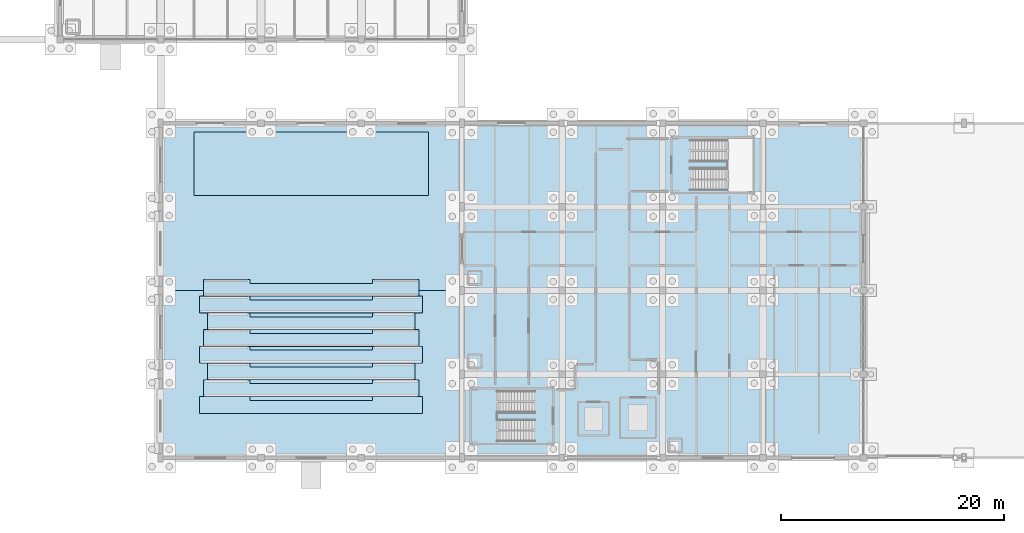
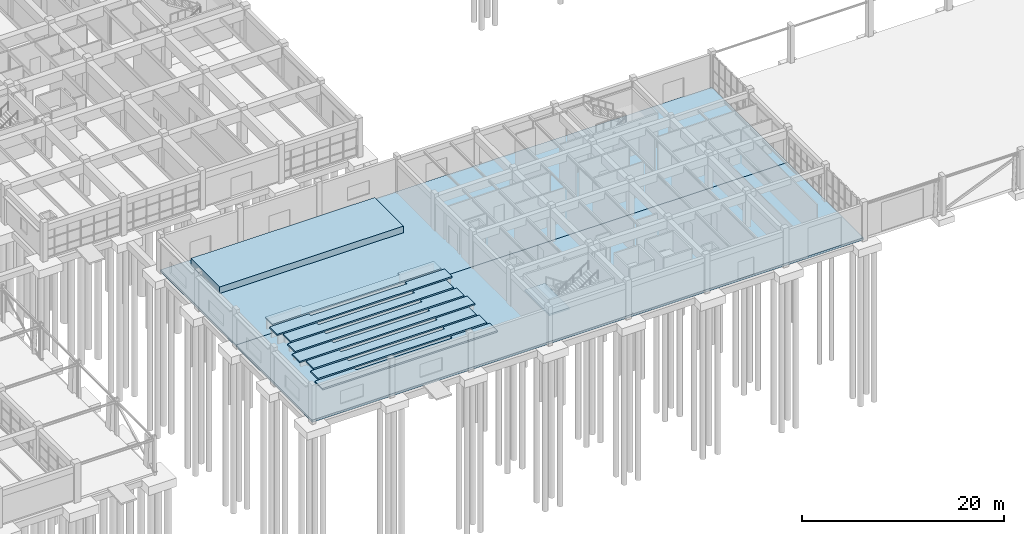
# One storey, part 45 of 93: 12 slabs, 1 element without a shape of its own.
"""IFC4 building model written with IfcOpenShell, lengths in metres."""

import ifcopenshell
import ifcopenshell.guid

model = None  # the IFC model being written
_history = None  # IfcOwnerHistory: only IFC2X3 demands one
_inside = {}  # id of a spatial element -> (the spatial element, [elements in it])
_under = {}  # id of a project, library or spatial element -> (it, [spatial elements below it])
_declared = {}  # id of a project -> (the project, [libraries it declares])
_typed = {}  # id of a type object -> (the type object, [elements of that type])
_made_of = {}  # id of a material, layer set ... -> (it, [elements and type objects made of it])


def new_model(schema):
    """Start an empty IFC model of exactly this schema.

    Asked for "IFC4X3", IfcOpenShell would pick the latest addendum, in which some entities
    have other attributes; the version numbers below select the first issue.
    IFC2X3 requires an IfcOwnerHistory on every rooted entity: one is made here for all.
    """
    global model, _history
    if schema == "IFC4X3":
        model = ifcopenshell.file(schema_version=(4, 3, 0, 0))
    else:
        model = ifcopenshell.file(schema=schema)
    _inside.clear()
    _under.clear()
    _declared.clear()
    _typed.clear()
    _made_of.clear()
    _history = None
    if model.schema == "IFC2X3":
        org = make("IfcOrganization", Name="unknown")
        user = make(
            "IfcPersonAndOrganization",
            ThePerson=make("IfcPerson", FamilyName="unknown"),
            TheOrganization=org,
        )
        app = make(
            "IfcApplication",
            ApplicationDeveloper=org,
            Version="unknown",
            ApplicationFullName="unknown",
            ApplicationIdentifier="unknown",
        )
        _history = make(
            "IfcOwnerHistory",
            OwningUser=user,
            OwningApplication=app,
            ChangeAction="ADDED",
            CreationDate=0,
        )
    return model


def make(cls, **values):
    """One entity of the class cls with the attributes given. An attribute that is None is left unset."""
    return model.create_entity(
        cls, **{name: value for name, value in values.items() if value is not None}
    )


def rooted(cls, **values):
    """An entity with a GlobalId (a new one), such as an element, a storey or a relation."""
    return make(cls, GlobalId=ifcopenshell.guid.new(), OwnerHistory=_history, **values)


def si_unit(unit_type, name, prefix=None):
    """IfcSIUnit, for example si_unit("LENGTHUNIT", "METRE", prefix="MILLI")."""
    return make("IfcSIUnit", UnitType=unit_type, Prefix=prefix, Name=name)


def assignment(units):
    """IfcUnitAssignment: the units of a project."""
    return None if units is None else make("IfcUnitAssignment", Units=units)


def point(xyz):
    """IfcCartesianPoint."""
    return None if xyz is None else make("IfcCartesianPoint", Coordinates=xyz)


def direction(xyz):
    """IfcDirection."""
    return None if xyz is None else make("IfcDirection", DirectionRatios=xyz)


def frame(location, z_axis=None, x_axis=None):
    """IfcAxis2Placement3D, a coordinate frame: its origin and axes. An axis left out is left unset."""
    return make(
        "IfcAxis2Placement3D",
        Location=point(location),
        Axis=direction(z_axis),
        RefDirection=direction(x_axis),
    )


def origin():
    """The frame at (0, 0, 0) with its axes left unset."""
    return frame((0.0, 0.0, 0.0))


def place(relative_to, where):
    """IfcLocalPlacement: puts the frame where relative to a parent placement (None: the world)."""
    return make(
        "IfcLocalPlacement", PlacementRelTo=relative_to, RelativePlacement=where
    )


def context(
    kind, dimensions, precision=None, world=None, true_north=None, identifier=None
):
    """IfcGeometricRepresentationContext, for example the 3D "Model" context."""
    return make(
        "IfcGeometricRepresentationContext",
        ContextIdentifier=identifier,
        ContextType=kind,
        CoordinateSpaceDimension=dimensions,
        Precision=precision,
        WorldCoordinateSystem=world,
        TrueNorth=true_north,
    )


def subcontext(parent, identifier, kind, view, scale=None):
    """IfcGeometricRepresentationSubContext, for example "Body" below "Model"."""
    return make(
        "IfcGeometricRepresentationSubContext",
        ContextIdentifier=identifier,
        ContextType=kind,
        ParentContext=parent,
        TargetScale=scale,
        TargetView=view,
    )


def project(units=None, contexts=None):
    """IfcProject with its units and contexts."""
    return rooted(
        "IfcProject",
        Name="project",
        RepresentationContexts=contexts,
        UnitsInContext=assignment(units),
    )


def spatial(cls, under=None, at=None, **own):
    """A site, building, storey or space (cls), placed at a placement, below another one or the project."""
    s = rooted(cls, ObjectPlacement=at, **own)
    if under is not None:
        _under.setdefault(under.id(), (under, []))[1].append(s)
    return s


def polyline(points):
    """IfcPolyline through the points."""
    return make("IfcPolyline", Points=[point(p) for p in points])


def outline(outer, holes=None, kind="AREA"):
    """IfcArbitraryClosedProfileDef: a profile drawn as a closed curve; with holes, ...WithVoids."""
    if holes is None:
        return make("IfcArbitraryClosedProfileDef", ProfileType=kind, OuterCurve=outer)
    return make(
        "IfcArbitraryProfileDefWithVoids",
        ProfileType=kind,
        OuterCurve=outer,
        InnerCurves=holes,
    )


def extrude(swept, where, along, depth):
    """IfcExtrudedAreaSolid: the profile swept, set in the frame where, extruded along a direction by depth."""
    return make(
        "IfcExtrudedAreaSolid",
        SweptArea=swept,
        Position=where,
        ExtrudedDirection=direction(along),
        Depth=depth,
    )


def shape(context_of_items, identifier, shape_type, items):
    """IfcShapeRepresentation: the items that make up one representation, for example the "Body"."""
    return make(
        "IfcShapeRepresentation",
        ContextOfItems=context_of_items,
        RepresentationIdentifier=identifier,
        RepresentationType=shape_type,
        Items=items,
    )


def material(Name=None, Category=None):
    """IfcMaterial."""
    return make("IfcMaterial", Name=Name, Category=Category)


def layer(
    of_material, thickness, ventilated=None, Name=None, Category=None, Priority=None
):
    """IfcMaterialLayer: one layer of a wall or slab, of a material (None: an air gap)."""
    return make(
        "IfcMaterialLayer",
        Material=of_material,
        LayerThickness=thickness,
        IsVentilated=ventilated,
        Name=Name,
        Category=Category,
        Priority=Priority,
    )


def layer_set(layers, Name=None):
    """IfcMaterialLayerSet."""
    return make("IfcMaterialLayerSet", MaterialLayers=layers, LayerSetName=Name)


def made_of(thing, what):
    """Note that an element or type object is made of a material, layer set ...; save() writes the relation."""
    if what is not None:
        _made_of.setdefault(what.id(), (what, []))[1].append(thing)
    return thing


def type_object(cls, material=None, **own):
    """A type object (cls), such as IfcWallType, which elements share."""
    return made_of(rooted(cls, **own), material)


def element(
    cls,
    number,
    at=None,
    inside=None,
    cuts=None,
    type_object=None,
    material=None,
    context=None,
    identifier="Body",
    shape_type=None,
    held_by="IfcProductDefinitionShape",
    body=None,
    shapes=None,
    **own,
):
    """One element of the class cls, such as IfcWall. Its Tag is "e" and its number.

    at: its placement. inside: the storey or other place that contains it. cuts: it is an
    opening in that element (IfcRelVoidsElement). A single representation is given by context,
    identifier, shape_type and body (its items); several are given by shapes. held_by: the class
    of the entity that holds the representations. save() writes the other relations.
    """
    e = rooted(cls, Tag="e%d" % number, ObjectPlacement=at, **own)
    if body is not None:
        shapes = [shape(context, identifier, shape_type, body)]
    if shapes is not None:
        e.Representation = make(held_by, Representations=shapes)
    if inside is not None:
        _inside.setdefault(inside.id(), (inside, []))[1].append(e)
    if cuts is not None:
        rooted(
            "IfcRelVoidsElement", RelatingBuildingElement=cuts, RelatedOpeningElement=e
        )
    if type_object is not None:
        _typed.setdefault(type_object.id(), (type_object, []))[1].append(e)
    return made_of(e, material)


def aggregate(whole, parts):
    """IfcRelAggregates: a whole, such as a stair, and the parts it consists of."""
    return rooted("IfcRelAggregates", RelatingObject=whole, RelatedObjects=parts)


def save(model, path):
    """Write the relations noted so far, then the file.

    IfcRelAggregates (storeys below a building ...), IfcRelContainedInSpatialStructure (elements
    in a storey), IfcRelDefinesByType, IfcRelAssociatesMaterial and IfcRelDeclares: one each for
    every whole, place, type object, material and project.
    """
    for whole, parts in _under.values():
        aggregate(whole, parts)
    for where, things in _inside.values():
        rooted(
            "IfcRelContainedInSpatialStructure",
            RelatedElements=things,
            RelatingStructure=where,
        )
    for kind, things in _typed.values():
        rooted("IfcRelDefinesByType", RelatedObjects=things, RelatingType=kind)
    for what, things in _made_of.values():
        rooted("IfcRelAssociatesMaterial", RelatedObjects=things, RelatingMaterial=what)
    for by, libraries in _declared.values():
        rooted("IfcRelDeclares", RelatingContext=by, RelatedDefinitions=libraries)
    model.write(path)


model = new_model("IFC4")

# Units and contexts
model_context = context("Model", 3, precision=1e-05, world=origin(), true_north=direction((0.0, 1.0)))
body_context = subcontext(model_context, "Body", "Model", "MODEL_VIEW")
ifc_project = project(units=[si_unit("LENGTHUNIT", "METRE"), si_unit("AREAUNIT", "SQUARE_METRE"), si_unit("VOLUMEUNIT", "CUBIC_METRE"), si_unit("PLANEANGLEUNIT", "RADIAN"), si_unit("MASSUNIT", "GRAM", prefix="KILO")], contexts=[model_context])

# Site, building, storey
site_placement = place(None, origin())
site = spatial("IfcSite", under=ifc_project, at=site_placement, CompositionType="ELEMENT")
building_placement = place(site_placement, origin())
building = spatial("IfcBuilding", under=site, at=building_placement, Name="Marnridge Secondary College", CompositionType="ELEMENT")
storey_placement = place(building_placement, origin())
storey = spatial("IfcBuildingStorey", under=building, at=storey_placement, Name="L00", CompositionType="ELEMENT", Elevation=0.0)

# Slabs
ifc_material_1 = material(Name="Concrete C40/50 (AS 3600 N40, 40 MPa)", Category="concrete")
ifc_layer_1 = layer(ifc_material_1, 0.280029296875)
ifc_layer_set_1 = layer_set([ifc_layer_1], Name="SL-BASE-280")
slab_type_1 = type_object("IfcSlabType", Name="SL-BASE-280", PredefinedType="BASESLAB", material=ifc_layer_set_1)
slab_1_placement = place(storey_placement, frame((0.0, 0.0, -0.280029296875)))
element("IfcSlab", 1, at=slab_1_placement, inside=storey, type_object=slab_type_1, Name="Floor slab SL-L00-005", PredefinedType="BASESLAB", context=body_context, shape_type="SweptSolid", body=[
    extrude(outline(polyline([(63.0, 15.0), (126.0, 15.0), (126.0, 0.0), (63.0, 0.0), (63.0, 15.0)])), origin(), (0.0, 0.0, 1.0), 0.280029296875),
])
slab_2_placement = place(storey_placement, frame((0.0, 0.0, -0.280029296875)))
element("IfcSlab", 2, at=slab_2_placement, inside=storey, type_object=slab_type_1, Name="Floor slab SL-L00-006", PredefinedType="BASESLAB", context=body_context, shape_type="SweptSolid", body=[
    extrude(outline(polyline([(63.0, 30.0), (126.0, 30.0), (126.0, 15.0), (63.0, 15.0), (63.0, 30.0)])), origin(), (0.0, 0.0, 1.0), 0.280029296875),
])

# Stair, slab
ifc_material_2 = material(Name="Concrete C40/50 (AS 3600 N40, 40 MPa)", Category="concrete")
stair_type = type_object("IfcStairType", Name="STC1", PredefinedType="HALF_TURN_STAIR", material=ifc_material_2)
stair_placement = place(storey_placement, origin())
stair = element("IfcStair", 3, at=stair_placement, inside=storey, type_object=stair_type, Name="Fire-isolated stair ST-07-L00", PredefinedType="HALF_TURN_STAIR")
ifc_material_3 = material(Name="Concrete C40/50 (AS 3600 N40, 40 MPa)", Category="concrete")
ifc_layer_2 = layer(ifc_material_3, 0.199951171875)
ifc_layer_set_2 = layer_set([ifc_layer_2], Name="SL-LAND-200")
slab_type_2 = type_object("IfcSlabType", Name="SL-LAND-200", PredefinedType="LANDING", material=ifc_layer_set_2)
slab_3_placement = place(storey_placement, frame((0.0, 0.0, 2.050048828125)))
slab_3 = element("IfcSlab", 4, at=slab_3_placement, type_object=slab_type_2, Name="ST-07-L00 landing 1", PredefinedType="LANDING", context=body_context, shape_type="SweptSolid", body=[
    extrude(outline(polyline([(90.860107421875, 1.31005859375), (93.169921875, 1.31005859375), (93.169921875, 6.18994140625), (90.860107421875, 6.18994140625), (90.860107421875, 1.31005859375)])), origin(), (0.0, 0.0, 1.0), 0.199951171875),
])
aggregate(stair, [slab_3])

# Slabs
ifc_material_4 = material(Name="Concrete C40/50 (AS 3600 N40, 40 MPa)", Category="concrete")
ifc_layer_3 = layer(ifc_material_4, 0.800048828125)
ifc_layer_set_3 = layer_set([ifc_layer_3], Name="SL-STAGE-800")
slab_type_3 = type_object("IfcSlabType", Name="SL-STAGE-800", PredefinedType="FLOOR", material=ifc_layer_set_3)
slab_4_placement = place(storey_placement, origin())
element("IfcSlab", 5, at=slab_4_placement, inside=storey, type_object=slab_type_3, Name="Assembly stage slab SL-L00-065", PredefinedType="FLOOR", context=body_context, shape_type="SweptSolid", body=[
    extrude(outline(polyline([(66.0, 23.5), (87.0, 23.5), (87.0, 29.199951171875), (66.0, 29.199951171875), (66.0, 23.5)])), origin(), (0.0, 0.0, 1.0), 0.800048828125),
])
ifc_material_5 = material(Name="Concrete C40/50 (AS 3600 N40, 40 MPa)", Category="concrete")
ifc_layer_4 = layer(ifc_material_5, 0.169921875)
ifc_layer_set_4 = layer_set([ifc_layer_4], Name="SL-TIER-170")
slab_type_4 = type_object("IfcSlabType", Name="SL-TIER-170", PredefinedType="USERDEFINED", material=ifc_layer_set_4)
slab_5_placement = place(storey_placement, origin())
element("IfcSlab", 6, at=slab_5_placement, inside=storey, type_object=slab_type_4, Name="Auditorium seating tier STIER-01", ObjectType="SEATING TIER", PredefinedType="USERDEFINED", context=body_context, shape_type="SweptSolid", body=[
    extrude(outline(polyline([(66.5, 4.0), (86.5, 4.0), (86.5, 5.5), (82.0, 5.5), (82.0, 5.14990234375), (71.0, 5.14990234375), (71.0, 5.5), (66.5, 5.5), (66.5, 4.0)])), origin(), (0.0, 0.0, 1.0), 0.169921875),
])
slab_6_placement = place(storey_placement, frame((0.0, 0.0, 0.18994140625)))
element("IfcSlab", 7, at=slab_6_placement, inside=storey, type_object=slab_type_4, Name="Auditorium seating tier STIER-02", ObjectType="SEATING TIER", PredefinedType="USERDEFINED", context=body_context, shape_type="SweptSolid", body=[
    extrude(outline(polyline([(66.85009765625, 5.5048828125), (86.14990234375, 5.5048828125), (86.14990234375, 7.0), (82.0, 7.0), (82.0, 6.64990234375), (71.0, 6.64990234375), (71.0, 7.0), (66.85009765625, 7.0), (66.85009765625, 5.5048828125)])), origin(), (0.0, 0.0, 1.0), 0.170166015625),
])
slab_7_placement = place(storey_placement, frame((0.0, 0.0, 0.3701171875)))
element("IfcSlab", 8, at=slab_7_placement, inside=storey, type_object=slab_type_4, Name="Auditorium seating tier STIER-03", ObjectType="SEATING TIER", PredefinedType="USERDEFINED", context=body_context, shape_type="SweptSolid", body=[
    extrude(outline(polyline([(67.199951171875, 7.0048828125), (85.800048828125, 7.0048828125), (85.800048828125, 8.5), (82.0, 8.5), (82.0, 8.14990234375), (71.0, 8.14990234375), (71.0, 8.5), (67.199951171875, 8.5), (67.199951171875, 7.0048828125)])), origin(), (0.0, 0.0, 1.0), 0.169921875),
])
slab_8_placement = place(storey_placement, frame((0.0, 0.0, 0.550048828125)))
element("IfcSlab", 9, at=slab_8_placement, inside=storey, type_object=slab_type_4, Name="Auditorium seating tier STIER-04", ObjectType="SEATING TIER", PredefinedType="USERDEFINED", context=body_context, shape_type="SweptSolid", body=[
    extrude(outline(polyline([(66.5, 8.5048828125), (86.5, 8.5048828125), (86.5, 10.0), (82.0, 10.0), (82.0, 9.64990234375), (71.0, 9.64990234375), (71.0, 10.0), (66.5, 10.0), (66.5, 8.5048828125)])), origin(), (0.0, 0.0, 1.0), 0.169921875),
])
slab_9_placement = place(storey_placement, frame((0.0, 0.0, 0.72998046875)))
element("IfcSlab", 10, at=slab_9_placement, inside=storey, type_object=slab_type_4, Name="Auditorium seating tier STIER-05", ObjectType="SEATING TIER", PredefinedType="USERDEFINED", context=body_context, shape_type="SweptSolid", body=[
    extrude(outline(polyline([(66.85009765625, 10.0048828125), (86.14990234375, 10.0048828125), (86.14990234375, 11.5), (82.0, 11.5), (82.0, 11.14990234375), (71.0, 11.14990234375), (71.0, 11.5), (66.85009765625, 11.5), (66.85009765625, 10.0048828125)])), origin(), (0.0, 0.0, 1.0), 0.169921875),
])
slab_10_placement = place(storey_placement, frame((0.0, 0.0, 0.909912109375)))
element("IfcSlab", 11, at=slab_10_placement, inside=storey, type_object=slab_type_4, Name="Auditorium seating tier STIER-06", ObjectType="SEATING TIER", PredefinedType="USERDEFINED", context=body_context, shape_type="SweptSolid", body=[
    extrude(outline(polyline([(67.199951171875, 11.5048828125), (85.800048828125, 11.5048828125), (85.800048828125, 13.0), (82.0, 13.0), (82.0, 12.64990234375), (71.0, 12.64990234375), (71.0, 13.0), (67.199951171875, 13.0), (67.199951171875, 11.5048828125)])), origin(), (0.0, 0.0, 1.0), 0.170166015625),
])
slab_11_placement = place(storey_placement, frame((0.0, 0.0, 1.090087890625)))
element("IfcSlab", 12, at=slab_11_placement, inside=storey, type_object=slab_type_4, Name="Auditorium seating tier STIER-07", ObjectType="SEATING TIER", PredefinedType="USERDEFINED", context=body_context, shape_type="SweptSolid", body=[
    extrude(outline(polyline([(66.5, 13.0048828125), (86.5, 13.0048828125), (86.5, 14.5), (82.0, 14.5), (82.0, 14.14990234375), (71.0, 14.14990234375), (71.0, 14.5), (66.5, 14.5), (66.5, 13.0048828125)])), origin(), (0.0, 0.0, 1.0), 0.169921875),
])
slab_12_placement = place(storey_placement, frame((0.0, 0.0, 1.27001953125)))
element("IfcSlab", 13, at=slab_12_placement, inside=storey, type_object=slab_type_4, Name="Auditorium seating tier STIER-08", ObjectType="SEATING TIER", PredefinedType="USERDEFINED", context=body_context, shape_type="SweptSolid", body=[
    extrude(outline(polyline([(66.85009765625, 14.5048828125), (86.14990234375, 14.5048828125), (86.14990234375, 16.0), (82.0, 16.0), (82.0, 15.64990234375), (71.0, 15.64990234375), (71.0, 16.0), (66.85009765625, 16.0), (66.85009765625, 14.5048828125)])), origin(), (0.0, 0.0, 1.0), 0.169921875),
])

save(model, "model.ifc")
